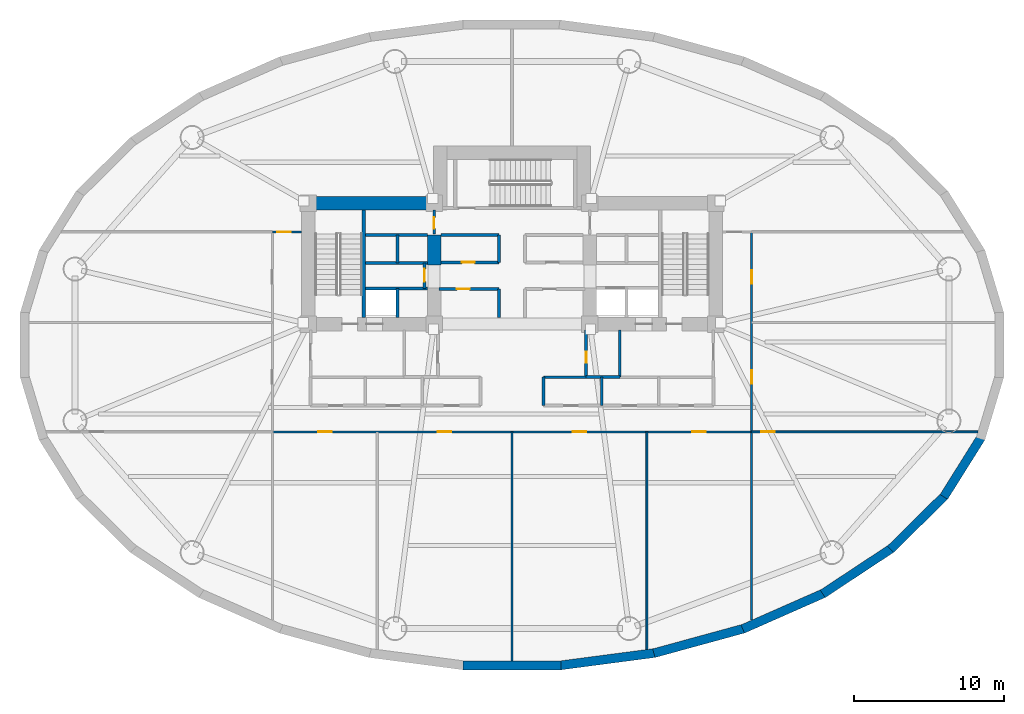
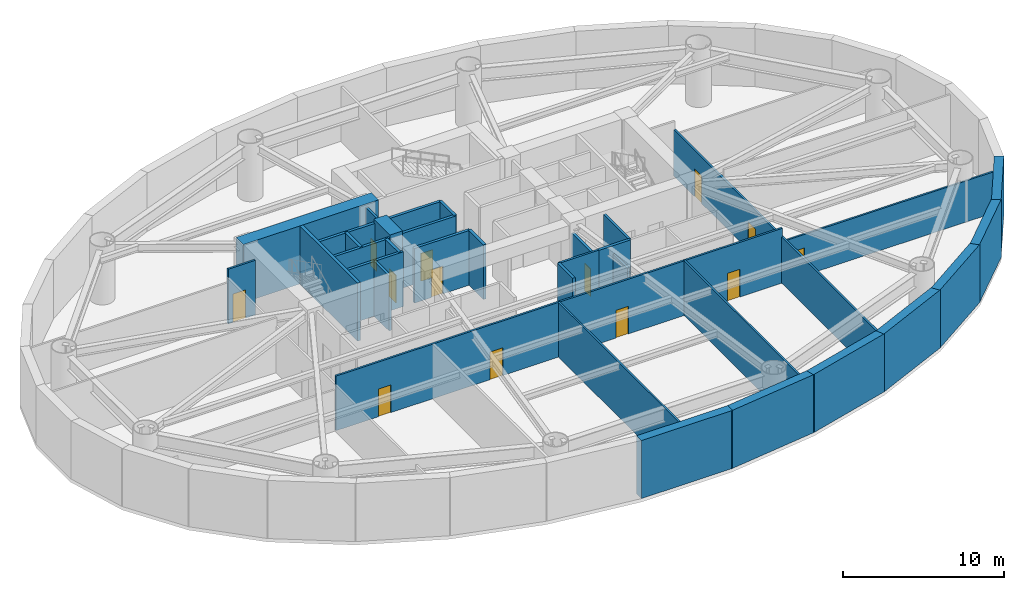
# One storey, part 3 of 6: 34 walls, 13 doors, 13 openings.
"""IFC4 building model written with IfcOpenShell, lengths in metres."""

import ifcopenshell
import ifcopenshell.guid

model = None  # the IFC model being written
_history = None  # IfcOwnerHistory: only IFC2X3 demands one
_inside = {}  # id of a spatial element -> (the spatial element, [elements in it])
_under = {}  # id of a project, library or spatial element -> (it, [spatial elements below it])
_declared = {}  # id of a project -> (the project, [libraries it declares])
_typed = {}  # id of a type object -> (the type object, [elements of that type])
_made_of = {}  # id of a material, layer set ... -> (it, [elements and type objects made of it])


def new_model(schema):
    """Start an empty IFC model of exactly this schema.

    Asked for "IFC4X3", IfcOpenShell would pick the latest addendum, in which some entities
    have other attributes; the version numbers below select the first issue.
    IFC2X3 requires an IfcOwnerHistory on every rooted entity: one is made here for all.
    """
    global model, _history
    if schema == "IFC4X3":
        model = ifcopenshell.file(schema_version=(4, 3, 0, 0))
    else:
        model = ifcopenshell.file(schema=schema)
    _inside.clear()
    _under.clear()
    _declared.clear()
    _typed.clear()
    _made_of.clear()
    _history = None
    if model.schema == "IFC2X3":
        org = make("IfcOrganization", Name="unknown")
        user = make(
            "IfcPersonAndOrganization",
            ThePerson=make("IfcPerson", FamilyName="unknown"),
            TheOrganization=org,
        )
        app = make(
            "IfcApplication",
            ApplicationDeveloper=org,
            Version="unknown",
            ApplicationFullName="unknown",
            ApplicationIdentifier="unknown",
        )
        _history = make(
            "IfcOwnerHistory",
            OwningUser=user,
            OwningApplication=app,
            ChangeAction="ADDED",
            CreationDate=0,
        )
    return model


def make(cls, **values):
    """One entity of the class cls with the attributes given. An attribute that is None is left unset."""
    return model.create_entity(
        cls, **{name: value for name, value in values.items() if value is not None}
    )


def rooted(cls, **values):
    """An entity with a GlobalId (a new one), such as an element, a storey or a relation."""
    return make(cls, GlobalId=ifcopenshell.guid.new(), OwnerHistory=_history, **values)


def si_unit(unit_type, name, prefix=None):
    """IfcSIUnit, for example si_unit("LENGTHUNIT", "METRE", prefix="MILLI")."""
    return make("IfcSIUnit", UnitType=unit_type, Prefix=prefix, Name=name)


def assignment(units):
    """IfcUnitAssignment: the units of a project."""
    return None if units is None else make("IfcUnitAssignment", Units=units)


def point(xyz):
    """IfcCartesianPoint."""
    return None if xyz is None else make("IfcCartesianPoint", Coordinates=xyz)


def direction(xyz):
    """IfcDirection."""
    return None if xyz is None else make("IfcDirection", DirectionRatios=xyz)


def frame(location, z_axis=None, x_axis=None):
    """IfcAxis2Placement3D, a coordinate frame: its origin and axes. An axis left out is left unset."""
    return make(
        "IfcAxis2Placement3D",
        Location=point(location),
        Axis=direction(z_axis),
        RefDirection=direction(x_axis),
    )


def frame_2d(location, x_axis=None):
    """IfcAxis2Placement2D, a coordinate frame in the plane: its origin and x axis."""
    return make(
        "IfcAxis2Placement2D", Location=point(location), RefDirection=direction(x_axis)
    )


def origin():
    """The frame at (0, 0, 0) with its axes left unset."""
    return frame((0.0, 0.0, 0.0))


def place(relative_to, where):
    """IfcLocalPlacement: puts the frame where relative to a parent placement (None: the world)."""
    return make(
        "IfcLocalPlacement", PlacementRelTo=relative_to, RelativePlacement=where
    )


def context(
    kind, dimensions, precision=None, world=None, true_north=None, identifier=None
):
    """IfcGeometricRepresentationContext, for example the 3D "Model" context."""
    return make(
        "IfcGeometricRepresentationContext",
        ContextIdentifier=identifier,
        ContextType=kind,
        CoordinateSpaceDimension=dimensions,
        Precision=precision,
        WorldCoordinateSystem=world,
        TrueNorth=true_north,
    )


def subcontext(parent, identifier, kind, view, scale=None):
    """IfcGeometricRepresentationSubContext, for example "Body" below "Model"."""
    return make(
        "IfcGeometricRepresentationSubContext",
        ContextIdentifier=identifier,
        ContextType=kind,
        ParentContext=parent,
        TargetScale=scale,
        TargetView=view,
    )


def project(units=None, contexts=None):
    """IfcProject with its units and contexts."""
    return rooted(
        "IfcProject",
        Name="project",
        RepresentationContexts=contexts,
        UnitsInContext=assignment(units),
    )


def spatial(cls, under=None, at=None, **own):
    """A site, building, storey or space (cls), placed at a placement, below another one or the project."""
    s = rooted(cls, ObjectPlacement=at, **own)
    if under is not None:
        _under.setdefault(under.id(), (under, []))[1].append(s)
    return s


def profile(cls, at=None, kind="AREA", **sizes):
    """A parametric profile (cls). Its sizes go by their IFC names, for example OverallWidth=200.0."""
    return make(cls, ProfileType=kind, Position=at, **sizes)


def rectangle(**sizes):
    """IfcRectangleProfileDef."""
    return profile("IfcRectangleProfileDef", **sizes)


def extrude(swept, where, along, depth):
    """IfcExtrudedAreaSolid: the profile swept, set in the frame where, extruded along a direction by depth."""
    return make(
        "IfcExtrudedAreaSolid",
        SweptArea=swept,
        Position=where,
        ExtrudedDirection=direction(along),
        Depth=depth,
    )


def shape(context_of_items, identifier, shape_type, items):
    """IfcShapeRepresentation: the items that make up one representation, for example the "Body"."""
    return make(
        "IfcShapeRepresentation",
        ContextOfItems=context_of_items,
        RepresentationIdentifier=identifier,
        RepresentationType=shape_type,
        Items=items,
    )


def material(Name=None, Category=None):
    """IfcMaterial."""
    return make("IfcMaterial", Name=Name, Category=Category)


def layer(
    of_material, thickness, ventilated=None, Name=None, Category=None, Priority=None
):
    """IfcMaterialLayer: one layer of a wall or slab, of a material (None: an air gap)."""
    return make(
        "IfcMaterialLayer",
        Material=of_material,
        LayerThickness=thickness,
        IsVentilated=ventilated,
        Name=Name,
        Category=Category,
        Priority=Priority,
    )


def layer_set(layers, Name=None):
    """IfcMaterialLayerSet."""
    return make("IfcMaterialLayerSet", MaterialLayers=layers, LayerSetName=Name)


def made_of(thing, what):
    """Note that an element or type object is made of a material, layer set ...; save() writes the relation."""
    if what is not None:
        _made_of.setdefault(what.id(), (what, []))[1].append(thing)
    return thing


def type_object(cls, material=None, **own):
    """A type object (cls), such as IfcWallType, which elements share."""
    return made_of(rooted(cls, **own), material)


def element(
    cls,
    number,
    at=None,
    inside=None,
    cuts=None,
    type_object=None,
    material=None,
    context=None,
    identifier="Body",
    shape_type=None,
    held_by="IfcProductDefinitionShape",
    body=None,
    shapes=None,
    **own,
):
    """One element of the class cls, such as IfcWall. Its Tag is "e" and its number.

    at: its placement. inside: the storey or other place that contains it. cuts: it is an
    opening in that element (IfcRelVoidsElement). A single representation is given by context,
    identifier, shape_type and body (its items); several are given by shapes. held_by: the class
    of the entity that holds the representations. save() writes the other relations.
    """
    e = rooted(cls, Tag="e%d" % number, ObjectPlacement=at, **own)
    if body is not None:
        shapes = [shape(context, identifier, shape_type, body)]
    if shapes is not None:
        e.Representation = make(held_by, Representations=shapes)
    if inside is not None:
        _inside.setdefault(inside.id(), (inside, []))[1].append(e)
    if cuts is not None:
        rooted(
            "IfcRelVoidsElement", RelatingBuildingElement=cuts, RelatedOpeningElement=e
        )
    if type_object is not None:
        _typed.setdefault(type_object.id(), (type_object, []))[1].append(e)
    return made_of(e, material)


def fill(opening, filler):
    """IfcRelFillsElement: the door or window that sits in an opening."""
    return rooted(
        "IfcRelFillsElement",
        RelatingOpeningElement=opening,
        RelatedBuildingElement=filler,
    )


def aggregate(whole, parts):
    """IfcRelAggregates: a whole, such as a stair, and the parts it consists of."""
    return rooted("IfcRelAggregates", RelatingObject=whole, RelatedObjects=parts)


def save(model, path):
    """Write the relations noted so far, then the file.

    IfcRelAggregates (storeys below a building ...), IfcRelContainedInSpatialStructure (elements
    in a storey), IfcRelDefinesByType, IfcRelAssociatesMaterial and IfcRelDeclares: one each for
    every whole, place, type object, material and project.
    """
    for whole, parts in _under.values():
        aggregate(whole, parts)
    for where, things in _inside.values():
        rooted(
            "IfcRelContainedInSpatialStructure",
            RelatedElements=things,
            RelatingStructure=where,
        )
    for kind, things in _typed.values():
        rooted("IfcRelDefinesByType", RelatedObjects=things, RelatingType=kind)
    for what, things in _made_of.values():
        rooted("IfcRelAssociatesMaterial", RelatedObjects=things, RelatingMaterial=what)
    for by, libraries in _declared.values():
        rooted("IfcRelDeclares", RelatingContext=by, RelatedDefinitions=libraries)
    model.write(path)


model = new_model("IFC4")

# Units and contexts
model_context = context("Model", 3, precision=1e-05, world=origin(), true_north=direction((0.0, 1.0)))
body_context = subcontext(model_context, "Body", "Model", "MODEL_VIEW")
ifc_project = project(units=[si_unit("LENGTHUNIT", "METRE"), si_unit("AREAUNIT", "SQUARE_METRE"), si_unit("VOLUMEUNIT", "CUBIC_METRE"), si_unit("PLANEANGLEUNIT", "RADIAN"), si_unit("MASSUNIT", "GRAM", prefix="KILO")], contexts=[model_context])

# Site, building, storey
site_placement = place(None, origin())
site = spatial("IfcSite", under=ifc_project, at=site_placement, CompositionType="ELEMENT")
building_placement = place(site_placement, origin())
building = spatial("IfcBuilding", under=site, at=building_placement, Name="Keldmark Tower", CompositionType="ELEMENT")
storey_placement = place(building_placement, frame((0.0, 0.0, -4.39990234375)))
storey = spatial("IfcBuildingStorey", under=building, at=storey_placement, Name="B01", CompositionType="ELEMENT", Elevation=-4.39990234375)

# Wall, openings, doors
ifc_material_1 = material(Name="Acoustic Double-Layer Gypsum Corridor Partition", Category="gypsum")
ifc_layer_1 = layer(ifc_material_1, 0.139892578125)
ifc_layer_set_1 = layer_set([ifc_layer_1], Name="Acoustic Double-Layer Gypsum Corridor Partition")
wall_type_1 = type_object("IfcWallType", Name="Acoustic Corridor Partition 140 mm", PredefinedType="PARTITIONING", material=ifc_layer_set_1)
wall_1_placement = place(storey_placement, frame((-16.0, -5.800048828125, 0.0), z_axis=(0.0, 0.0, 1.0), x_axis=(1.0, 0.0, 0.0)))
wall_1 = element("IfcWall", 1, at=wall_1_placement, inside=storey, type_object=wall_type_1, Name="B01 Acoustic Corridor Partition 140 mm COR-S", PredefinedType="PARTITIONING", context=body_context, shape_type="SweptSolid", body=[
    extrude(rectangle(XDim=32.0, YDim=0.139892578125, at=frame_2d((16.0, 0.0))), origin(), (0.0, 0.0, 1.0), 4.139892578125),
])
opening_1_placement = place(wall_1_placement, frame((3.050048828125, 0.0, 0.0)))
opening_1 = element("IfcOpeningElement", 2, at=opening_1_placement, cuts=wall_1, Name="Opening D-IN090", PredefinedType="OPENING", context=body_context, shape_type="SweptSolid", body=[
    extrude(rectangle(XDim=0.89990234375, YDim=2.10009765625, at=frame_2d((0.449951171875, 1.050048828125))), frame((0.0, 0.079833984375, 0.0), z_axis=(0.0, -1.0, 0.0), x_axis=(1.0, 0.0, 0.0)), (0.0, 0.0, 1.0), 0.159912109375),
])
opening_2_placement = place(wall_1_placement, frame((11.050048828125, 0.0, 0.0)))
opening_2 = element("IfcOpeningElement", 3, at=opening_2_placement, cuts=wall_1, Name="Opening D-IN090", PredefinedType="OPENING", context=body_context, shape_type="SweptSolid", body=[
    extrude(rectangle(XDim=0.89990234375, YDim=2.10009765625, at=frame_2d((0.449951171875, 1.050048828125))), frame((0.0, 0.079833984375, 0.0), z_axis=(0.0, -1.0, 0.0), x_axis=(1.0, 0.0, 0.0)), (0.0, 0.0, 1.0), 0.159912109375),
])
opening_3_placement = place(wall_1_placement, frame((20.050048828125, 0.0, 0.0)))
opening_3 = element("IfcOpeningElement", 4, at=opening_3_placement, cuts=wall_1, Name="Opening D-IN090", PredefinedType="OPENING", context=body_context, shape_type="SweptSolid", body=[
    extrude(rectangle(XDim=0.89990234375, YDim=2.10009765625, at=frame_2d((0.449951171875, 1.050048828125))), frame((0.0, 0.079833984375, 0.0), z_axis=(0.0, -1.0, 0.0), x_axis=(1.0, 0.0, 0.0)), (0.0, 0.0, 1.0), 0.159912109375),
])
opening_4_placement = place(wall_1_placement, frame((28.050048828125, 0.0, 0.0)))
opening_4 = element("IfcOpeningElement", 5, at=opening_4_placement, cuts=wall_1, Name="Opening D-IN090", PredefinedType="OPENING", context=body_context, shape_type="SweptSolid", body=[
    extrude(rectangle(XDim=0.89990234375, YDim=2.10009765625, at=frame_2d((0.449951171875, 1.050048828125))), frame((0.0, 0.079833984375, 0.0), z_axis=(0.0, -1.0, 0.0), x_axis=(1.0, 0.0, 0.0)), (0.0, 0.0, 1.0), 0.159912109375),
])
ifc_material_2 = material(Name="Stained American White Oak Veneer", Category="wood")
door_type_1 = type_object("IfcDoorType", Name="Interior Door 900x2100", OperationType="NOTDEFINED", PredefinedType="DOOR", material=ifc_material_2)
door_1_placement = place(opening_1_placement, origin())
door_1 = element("IfcDoor", 6, at=door_1_placement, inside=storey, type_object=door_type_1, Name="B01 Interior Door 900x2100 D-SR-1-B01", OperationType="SINGLE_SWING_LEFT", OverallHeight=2.10009765625, OverallWidth=0.89990234375, PredefinedType="DOOR", context=body_context, shape_type="SweptSolid", body=[
    extrude(rectangle(XDim=0.89990234375, YDim=2.10009765625, at=frame_2d((0.449951171875, 1.050048828125))), frame((0.0, 0.02490234375, 0.0), z_axis=(0.0, -1.0, 0.0), x_axis=(1.0, 0.0, 0.0)), (0.0, 0.0, 1.0), 0.050048828125),
])
fill(opening_1, door_1)
door_2_placement = place(opening_2_placement, origin())
door_2 = element("IfcDoor", 7, at=door_2_placement, inside=storey, type_object=door_type_1, Name="B01 Interior Door 900x2100 D-SR-2-B01", OperationType="SINGLE_SWING_RIGHT", OverallHeight=2.10009765625, OverallWidth=0.89990234375, PredefinedType="DOOR", context=body_context, shape_type="SweptSolid", body=[
    extrude(rectangle(XDim=0.89990234375, YDim=2.10009765625, at=frame_2d((0.449951171875, 1.050048828125))), frame((0.0, 0.02490234375, 0.0), z_axis=(0.0, -1.0, 0.0), x_axis=(1.0, 0.0, 0.0)), (0.0, 0.0, 1.0), 0.050048828125),
])
fill(opening_2, door_2)
door_3_placement = place(opening_3_placement, origin())
door_3 = element("IfcDoor", 8, at=door_3_placement, inside=storey, type_object=door_type_1, Name="B01 Interior Door 900x2100 D-SR-3-B01", OperationType="SINGLE_SWING_LEFT", OverallHeight=2.10009765625, OverallWidth=0.89990234375, PredefinedType="DOOR", context=body_context, shape_type="SweptSolid", body=[
    extrude(rectangle(XDim=0.89990234375, YDim=2.10009765625, at=frame_2d((0.449951171875, 1.050048828125))), frame((0.0, 0.02490234375, 0.0), z_axis=(0.0, -1.0, 0.0), x_axis=(1.0, 0.0, 0.0)), (0.0, 0.0, 1.0), 0.050048828125),
])
fill(opening_3, door_3)
door_4_placement = place(opening_4_placement, origin())
door_4 = element("IfcDoor", 9, at=door_4_placement, inside=storey, type_object=door_type_1, Name="B01 Interior Door 900x2100 D-SR-4-B01", OperationType="SINGLE_SWING_RIGHT", OverallHeight=2.10009765625, OverallWidth=0.89990234375, PredefinedType="DOOR", context=body_context, shape_type="SweptSolid", body=[
    extrude(rectangle(XDim=0.89990234375, YDim=2.10009765625, at=frame_2d((0.449951171875, 1.050048828125))), frame((0.0, 0.02490234375, 0.0), z_axis=(0.0, -1.0, 0.0), x_axis=(1.0, 0.0, 0.0)), (0.0, 0.0, 1.0), 0.050048828125),
])
fill(opening_4, door_4)

wall_2_placement = place(storey_placement, frame((16.0, -18.365478515625, 0.0), z_axis=(0.0, 0.0, 1.0), x_axis=(0.0, 1.0, 0.0)))
wall_2 = element("IfcWall", 10, at=wall_2_placement, inside=storey, type_object=wall_type_1, Name="B01 Acoustic Corridor Partition 140 mm COR-E", PredefinedType="PARTITIONING", context=body_context, shape_type="SweptSolid", body=[
    extrude(rectangle(XDim=25.91552734375, YDim=0.139892578125, at=frame_2d((12.957763671875, 0.0))), origin(), (0.0, 0.0, 1.0), 3.5078125),
])
opening_5_placement = place(wall_2_placement, frame((15.765869140625, 0.0, 0.0)))
opening_5 = element("IfcOpeningElement", 11, at=opening_5_placement, cuts=wall_2, Name="Opening D-IN090", PredefinedType="OPENING", context=body_context, shape_type="SweptSolid", body=[
    extrude(rectangle(XDim=0.89990234375, YDim=2.10009765625, at=frame_2d((0.449951171875, 1.050048828125))), frame((0.0, 0.079833984375, 0.0), z_axis=(0.0, -1.0, 0.0), x_axis=(1.0, 0.0, 0.0)), (0.0, 0.0, 1.0), 0.159912109375),
])
opening_6_placement = place(wall_2_placement, frame((22.44091796875, 0.0, 0.0)))
opening_6 = element("IfcOpeningElement", 12, at=opening_6_placement, cuts=wall_2, Name="Opening D-IN090", PredefinedType="OPENING", context=body_context, shape_type="SweptSolid", body=[
    extrude(rectangle(XDim=0.89990234375, YDim=2.10009765625, at=frame_2d((0.449951171875, 1.050048828125))), frame((0.0, 0.079833984375, 0.0), z_axis=(0.0, -1.0, 0.0), x_axis=(1.0, 0.0, 0.0)), (0.0, 0.0, 1.0), 0.159912109375),
])
door_5_placement = place(opening_5_placement, origin())
door_5 = element("IfcDoor", 13, at=door_5_placement, inside=storey, type_object=door_type_1, Name="B01 Interior Door 900x2100 D-ER-1-B01", OperationType="SINGLE_SWING_RIGHT", OverallHeight=2.10009765625, OverallWidth=0.89990234375, PredefinedType="DOOR", context=body_context, shape_type="SweptSolid", body=[
    extrude(rectangle(XDim=0.89990234375, YDim=2.10009765625, at=frame_2d((0.449951171875, 1.050048828125))), frame((0.0, 0.02490234375, 0.0), z_axis=(0.0, -1.0, 0.0), x_axis=(1.0, 0.0, 0.0)), (0.0, 0.0, 1.0), 0.050048828125),
])
fill(opening_5, door_5)
door_6_placement = place(opening_6_placement, origin())
door_6 = element("IfcDoor", 14, at=door_6_placement, inside=storey, type_object=door_type_1, Name="B01 Interior Door 900x2100 D-ER-2-B01", OperationType="SINGLE_SWING_LEFT", OverallHeight=2.10009765625, OverallWidth=0.89990234375, PredefinedType="DOOR", context=body_context, shape_type="SweptSolid", body=[
    extrude(rectangle(XDim=0.89990234375, YDim=2.10009765625, at=frame_2d((0.449951171875, 1.050048828125))), frame((0.0, 0.02490234375, 0.0), z_axis=(0.0, -1.0, 0.0), x_axis=(1.0, 0.0, 0.0)), (0.0, 0.0, 1.0), 0.050048828125),
])
fill(opening_6, door_6)

# Wall, opening, door
wall_3_placement = place(storey_placement, frame((-16.0, 7.550048828125, 0.0), z_axis=(0.0, 0.0, 1.0), x_axis=(1.0, 0.0, 0.0)))
wall_3 = element("IfcWall", 15, at=wall_3_placement, inside=storey, type_object=wall_type_1, Name="B01 Acoustic Corridor Partition 140 mm COR-WN-CAP", PredefinedType="PARTITIONING", context=body_context, shape_type="SweptSolid", body=[
    extrude(rectangle(XDim=1.949951171875, YDim=0.139892578125, at=frame_2d((0.97509765625, 0.0))), origin(), (0.0, 0.0, 1.0), 4.139892578125),
])
opening_7_placement = place(wall_3_placement, frame((0.320068359375, 0.0, 0.0)))
opening_7 = element("IfcOpeningElement", 16, at=opening_7_placement, cuts=wall_3, Name="Opening D-EX092", PredefinedType="OPENING", context=body_context, shape_type="SweptSolid", body=[
    extrude(rectangle(XDim=0.919921875, YDim=2.14990234375, at=frame_2d((0.4599609375, 1.074951171875))), frame((0.0, 0.079833984375, 0.0), z_axis=(0.0, -1.0, 0.0), x_axis=(1.0, 0.0, 0.0)), (0.0, 0.0, 1.0), 0.159912109375),
])
ifc_material_3 = material(Name="Flush American Ash Executive Office Door", Category="wood")
door_type_2 = type_object("IfcDoorType", Name="Executive Office Door 920x2150", OperationType="NOTDEFINED", PredefinedType="DOOR", material=ifc_material_3)
door_7_placement = place(opening_7_placement, origin())
door_7 = element("IfcDoor", 17, at=door_7_placement, inside=storey, type_object=door_type_2, Name="B01 Executive Office Door 920x2150 D-NRNW-B01", OperationType="SINGLE_SWING_LEFT", OverallHeight=2.14990234375, OverallWidth=0.919921875, PredefinedType="DOOR", context=body_context, shape_type="SweptSolid", body=[
    extrude(rectangle(XDim=0.919921875, YDim=2.14990234375, at=frame_2d((0.4599609375, 1.074951171875))), frame((0.0, 0.02490234375, 0.0), z_axis=(0.0, -1.0, 0.0), x_axis=(1.0, 0.0, 0.0)), (0.0, 0.0, 1.0), 0.050048828125),
])
fill(opening_7, door_7)

# Walls
ifc_material_4 = material(Name="Concrete C50/60", Category="concrete")
ifc_layer_2 = layer(ifc_material_4, 0.60009765625)
ifc_layer_set_2 = layer_set([ifc_layer_2], Name="Concrete C50/60")
wall_type_2 = type_object("IfcWallType", Name="Basement Retaining Wall 600 mm", PredefinedType="USERDEFINED", material=ifc_layer_set_2)
wall_4_placement = place(storey_placement, frame((-3.2646484375, -21.39501953125, 0.0), z_axis=(0.0, 0.0, 1.0), x_axis=(1.0, 0.0, 0.0)))
element("IfcWall", 18, at=wall_4_placement, inside=storey, type_object=wall_type_2, Name="B01 Perimeter Retaining Wall 24", ObjectType="RETAINING WALL", PredefinedType="USERDEFINED", context=body_context, shape_type="SweptSolid", body=[
    extrude(rectangle(XDim=6.529296875, YDim=0.60009765625, at=frame_2d((3.2646484375, 0.0))), origin(), (0.0, 0.0, 1.0), 4.39990234375),
])
wall_5_placement = place(storey_placement, frame((3.165771484375, -21.401611328125, 0.0), z_axis=(0.0, 0.0, 1.0), x_axis=(0.991471782517, 0.130321542624, 0.0)))
element("IfcWall", 19, at=wall_5_placement, inside=storey, type_object=wall_type_2, Name="B01 Perimeter Retaining Wall 25", ObjectType="RETAINING WALL", PredefinedType="USERDEFINED", context=body_context, shape_type="SweptSolid", body=[
    extrude(rectangle(XDim=6.45947265625, YDim=0.60009765625, at=frame_2d((3.229736328125, 0.0))), origin(), (0.0, 0.0, 1.0), 4.39990234375),
])
wall_6_placement = place(storey_placement, frame((9.47119140625, -20.579833984375, 0.0), z_axis=(0.0, 0.0, 1.0), x_axis=(0.964548276597, 0.263906464707, 0.0)))
element("IfcWall", 20, at=wall_6_placement, inside=storey, type_object=wall_type_2, Name="B01 Perimeter Retaining Wall 26", ObjectType="RETAINING WALL", PredefinedType="USERDEFINED", context=body_context, shape_type="SweptSolid", body=[
    extrude(rectangle(XDim=6.256591796875, YDim=0.60009765625, at=frame_2d((3.12841796875, 0.0))), origin(), (0.0, 0.0, 1.0), 4.39990234375),
])
wall_7_placement = place(storey_placement, frame((15.407470703125, -18.963623046875, 0.0), z_axis=(0.0, 0.0, 1.0), x_axis=(0.91483072277, 0.403837527574, 0.0)))
element("IfcWall", 21, at=wall_7_placement, inside=storey, type_object=wall_type_2, Name="B01 Perimeter Retaining Wall 27", ObjectType="RETAINING WALL", PredefinedType="USERDEFINED", context=body_context, shape_type="SweptSolid", body=[
    extrude(rectangle(XDim=5.939697265625, YDim=0.60009765625, at=frame_2d((2.9697265625, 0.0))), origin(), (0.0, 0.0, 1.0), 4.39990234375),
])
wall_8_placement = place(storey_placement, frame((20.74462890625, -16.617919921875, 0.0), z_axis=(0.0, 0.0, 1.0), x_axis=(0.834367518908, 0.551208529861, 0.0)))
element("IfcWall", 22, at=wall_8_placement, inside=storey, type_object=wall_type_2, Name="B01 Perimeter Retaining Wall 28", ObjectType="RETAINING WALL", PredefinedType="USERDEFINED", context=body_context, shape_type="SweptSolid", body=[
    extrude(rectangle(XDim=5.542236328125, YDim=0.60009765625, at=frame_2d((2.77099609375, 0.0))), origin(), (0.0, 0.0, 1.0), 4.39990234375),
])
wall_9_placement = place(storey_placement, frame((25.277099609375, -13.6376953125, 0.0), z_axis=(0.0, 0.0, 1.0), x_axis=(0.711105403666, 0.70308541791, 0.0)))
element("IfcWall", 23, at=wall_9_placement, inside=storey, type_object=wall_type_2, Name="B01 Perimeter Retaining Wall 29", ObjectType="RETAINING WALL", PredefinedType="USERDEFINED", context=body_context, shape_type="SweptSolid", body=[
    extrude(rectangle(XDim=5.1142578125, YDim=0.60009765625, at=frame_2d((2.55712890625, 0.0))), origin(), (0.0, 0.0, 1.0), 4.39990234375),
])
wall_10_placement = place(storey_placement, frame((28.833251953125, -10.142333984375, 0.0), z_axis=(0.0, 0.0, 1.0), x_axis=(0.531244363113, 0.847218641592, 0.0)))
element("IfcWall", 24, at=wall_10_placement, inside=storey, type_object=wall_type_2, Name="B01 Perimeter Retaining Wall 30", ObjectType="RETAINING WALL", PredefinedType="USERDEFINED", context=body_context, shape_type="SweptSolid", body=[
    extrude(rectangle(XDim=4.72021484375, YDim=0.60009765625, at=frame_2d((2.360107421875, 0.0))), origin(), (0.0, 0.0, 1.0), 4.39990234375),
])
ifc_material_5 = material(Name="Heavy Acoustic Plumbing Chase Gypsum Assembly", Category="gypsum")
ifc_layer_3 = layer(ifc_material_5, 0.18994140625)
ifc_layer_set_3 = layer_set([ifc_layer_3], Name="Heavy Acoustic Plumbing Chase Gypsum Assembly")
wall_type_3 = type_object("IfcWallType", Name="Heavy Wet Wall 190 mm", PredefinedType="PLUMBINGWALL", material=ifc_layer_set_3)
wall_11_placement = place(storey_placement, frame((2.10009765625, -4.050048828125, 0.0), z_axis=(0.0, 0.0, 1.0), x_axis=(0.0, 1.0, 0.0)))
element("IfcWall", 25, at=wall_11_placement, inside=storey, type_object=wall_type_3, Name="B01 Heavy Wet Wall 190 mm SPK-E-W", PredefinedType="PLUMBINGWALL", context=body_context, shape_type="SweptSolid", body=[
    extrude(rectangle(XDim=1.900146484375, YDim=0.18994140625, at=frame_2d((0.9501953125, 0.0))), origin(), (0.0, 0.0, 1.0), 4.139892578125),
])
ifc_material_6 = material(Name="Acoustic Gypsum Board Interior Partition", Category="gypsum")
ifc_layer_4 = layer(ifc_material_6, 0.1298828125)
ifc_layer_set_4 = layer_set([ifc_layer_4], Name="Acoustic Gypsum Board Interior Partition")
wall_type_4 = type_object("IfcWallType", Name="Interior Partition 130 mm", PredefinedType="PARTITIONING", material=ifc_layer_set_4)
wall_12_placement = place(storey_placement, frame((0.0, -21.0869140625, 0.0), z_axis=(0.0, 0.0, 1.0), x_axis=(0.0, 1.0, 0.0)))
element("IfcWall", 26, at=wall_12_placement, inside=storey, type_object=wall_type_4, Name="B01 Interior Partition 130 mm S-DIV-2", PredefinedType="PARTITIONING", context=body_context, shape_type="SweptSolid", body=[
    extrude(rectangle(XDim=15.286865234375, YDim=0.1298828125, at=frame_2d((7.6435546875, 0.0))), origin(), (0.0, 0.0, 1.0), 4.139892578125),
])
wall_13_placement = place(storey_placement, frame((9.0, -20.32421875, 0.0), z_axis=(0.0, 0.0, 1.0), x_axis=(0.0, 1.0, 0.0)))
element("IfcWall", 27, at=wall_13_placement, inside=storey, type_object=wall_type_4, Name="B01 Interior Partition 130 mm S-DIV-3", PredefinedType="PARTITIONING", context=body_context, shape_type="SweptSolid", body=[
    extrude(rectangle(XDim=14.524169921875, YDim=0.1298828125, at=frame_2d((7.26220703125, 0.0))), origin(), (0.0, 0.0, 1.0), 4.139892578125),
])

# Wall, opening, door
wall_14_placement = place(storey_placement, frame((16.0, -5.800048828125, 0.0), z_axis=(0.0, 0.0, 1.0), x_axis=(1.0, 0.0, 0.0)))
wall_14 = element("IfcWall", 28, at=wall_14_placement, inside=storey, type_object=wall_type_4, Name="B01 Interior Partition 130 mm E-CAP-S", PredefinedType="PARTITIONING", context=body_context, shape_type="SweptSolid", body=[
    extrude(rectangle(XDim=15.10302734375, YDim=0.1298828125, at=frame_2d((7.551513671875, 0.0))), origin(), (0.0, 0.0, 1.0), 3.117919921875),
])
opening_8_placement = place(wall_14_placement, frame((0.64990234375, 0.0, 0.0)))
opening_8 = element("IfcOpeningElement", 29, at=opening_8_placement, cuts=wall_14, Name="Opening D-IN090", PredefinedType="OPENING", context=body_context, shape_type="SweptSolid", body=[
    extrude(rectangle(XDim=0.89990234375, YDim=2.10009765625, at=frame_2d((0.449951171875, 1.050048828125))), frame((0.0, 0.074951171875, 0.0), z_axis=(0.0, -1.0, 0.0), x_axis=(1.0, 0.0, 0.0)), (0.0, 0.0, 1.0), 0.14990234375),
])
door_8_placement = place(opening_8_placement, origin())
door_8 = element("IfcDoor", 30, at=door_8_placement, inside=storey, type_object=door_type_1, Name="B01 Interior Door 900x2100 D-ERSE-B01", OperationType="SINGLE_SWING_RIGHT", OverallHeight=2.10009765625, OverallWidth=0.89990234375, PredefinedType="DOOR", context=body_context, shape_type="SweptSolid", body=[
    extrude(rectangle(XDim=0.89990234375, YDim=2.10009765625, at=frame_2d((0.449951171875, 1.050048828125))), frame((0.0, 0.02490234375, 0.0), z_axis=(0.0, -1.0, 0.0), x_axis=(1.0, 0.0, 0.0)), (0.0, 0.0, 1.0), 0.050048828125),
])
fill(opening_8, door_8)

# Walls
ifc_material_7 = material(Name="Concrete C70/85", Category="concrete")
ifc_layer_5 = layer(ifc_material_7, 0.89990234375)
ifc_layer_set_5 = layer_set([ifc_layer_5], Name="Concrete C70/85")
wall_type_5 = type_object("IfcWallType", Name="Lower Core Shear Wall 900 mm", PredefinedType="SHEAR", material=ifc_layer_set_5)
wall_15_placement = place(storey_placement, frame((-14.050048828125, 9.449951171875, 0.0), z_axis=(0.0, 0.0, 1.0), x_axis=(1.0, 0.0, 0.0)))
element("IfcWall", 31, at=wall_15_placement, inside=storey, type_object=wall_type_5, Name="B01 West Core North Shear Wall", PredefinedType="SHEAR", context=body_context, shape_type="SweptSolid", body=[
    extrude(rectangle(XDim=9.699951171875, YDim=0.89990234375, at=frame_2d((4.85009765625, 0.0))), origin(), (0.0, 0.0, 1.0), 4.39990234375),
])
wall_16_placement = place(storey_placement, frame((-5.199951171875, 5.35009765625, 0.0), z_axis=(0.0, 0.0, 1.0), x_axis=(0.0, 1.0, 0.0)))
element("IfcWall", 32, at=wall_16_placement, inside=storey, type_object=wall_type_5, Name="B01 West Core Inner Shear Pier North", PredefinedType="SHEAR", context=body_context, shape_type="SweptSolid", body=[
    extrude(rectangle(XDim=2.0, YDim=0.89990234375, at=frame_2d((1.0, 0.0))), origin(), (0.0, 0.0, 1.0), 4.39990234375),
])
ifc_material_8 = material(Name="Type X Fire-Rated Gypsum Partition Assembly", Category="gypsum")
ifc_layer_6 = layer(ifc_material_8, 0.1650390625)
ifc_layer_set_6 = layer_set([ifc_layer_6], Name="Type X Fire-Rated Gypsum Partition Assembly")
wall_type_6 = type_object("IfcWallType", Name="Rated Partition 165 mm", PredefinedType="PARTITIONING", material=ifc_layer_set_6)
wall_17_placement = place(storey_placement, frame((7.199951171875, -2.14990234375, 0.0), z_axis=(0.0, 0.0, 1.0), x_axis=(0.0, 1.0, 0.0)))
element("IfcWall", 33, at=wall_17_placement, inside=storey, type_object=wall_type_6, Name="B01 Rated Partition 165 mm FSAE-E-W", PredefinedType="PARTITIONING", context=body_context, shape_type="SweptSolid", body=[
    extrude(rectangle(XDim=3.14990234375, YDim=0.1650390625, at=frame_2d((1.574951171875, 0.0))), origin(), (0.0, 0.0, 1.0), 4.139892578125),
])

# Wall, opening, door
wall_18_placement = place(storey_placement, frame((-5.199951171875, 7.419921875, 0.0), z_axis=(0.0, 0.0, 1.0), x_axis=(0.0, 1.0, 0.0)))
wall_18 = element("IfcWall", 34, at=wall_18_placement, inside=storey, type_object=wall_type_6, Name="B01 Rated Partition 165 mm CS-NW-E", PredefinedType="PARTITIONING", context=body_context, shape_type="SweptSolid", body=[
    extrude(rectangle(XDim=1.580078125, YDim=0.1650390625, at=frame_2d((0.7900390625, 0.0))), origin(), (0.0, 0.0, 1.0), 4.139892578125),
])
opening_9_placement = place(wall_18_placement, frame((0.35009765625, 0.0, 0.0)))
opening_9 = element("IfcOpeningElement", 35, at=opening_9_placement, cuts=wall_18, Name="Opening D-RS075", PredefinedType="OPENING", context=body_context, shape_type="SweptSolid", body=[
    extrude(rectangle(XDim=0.75, YDim=2.10009765625, at=frame_2d((0.375, 1.050048828125))), frame((0.0, 0.092529296875, 0.0), z_axis=(0.0, -1.0, 0.0), x_axis=(1.0, 0.0, 0.0)), (0.0, 0.0, 1.0), 0.18505859375),
])
ifc_material_9 = material(Name="Galvanized Fire-Rated Access Leaf", Category="metal")
door_type_3 = type_object("IfcDoorType", Name="Riser Access Door 750x2100", OperationType="NOTDEFINED", PredefinedType="DOOR", material=ifc_material_9)
door_9_placement = place(opening_9_placement, origin())
door_9 = element("IfcDoor", 36, at=door_9_placement, inside=storey, type_object=door_type_3, Name="B01 Riser Access Door 750x2100 D-CSNW1-B01", OperationType="SINGLE_SWING_LEFT", OverallHeight=2.10009765625, OverallWidth=0.75, PredefinedType="DOOR", context=body_context, shape_type="SweptSolid", body=[
    extrude(rectangle(XDim=0.75, YDim=2.10009765625, at=frame_2d((0.375, 1.050048828125))), frame((0.0, 0.02490234375, 0.0), z_axis=(0.0, -1.0, 0.0), x_axis=(1.0, 0.0, 0.0)), (0.0, 0.0, 1.0), 0.050048828125),
])
fill(opening_9, door_9)

# Wall
ifc_material_10 = material(Name="Fire-Resistant Type X Gypsum Shaftliner Coreboard", Category="gypsum")
ifc_layer_7 = layer(ifc_material_10, 0.199951171875)
ifc_layer_set_7 = layer_set([ifc_layer_7], Name="Fire-Resistant Type X Gypsum Shaftliner Coreboard")
wall_type_7 = type_object("IfcWallType", Name="Shaft Wall 200 mm", PredefinedType="SOLIDWALL", material=ifc_layer_set_7)
wall_19_placement = place(storey_placement, frame((4.949951171875, -2.14990234375, 0.0), z_axis=(0.0, 0.0, 1.0), x_axis=(1.0, 0.0, 0.0)))
element("IfcWall", 37, at=wall_19_placement, inside=storey, type_object=wall_type_7, Name="B01 Shaft Wall 200 mm RIS-SE-S", PredefinedType="SOLIDWALL", context=body_context, shape_type="SweptSolid", body=[
    extrude(rectangle(XDim=2.25, YDim=0.199951171875, at=frame_2d((1.125, 0.0))), origin(), (0.0, 0.0, 1.0), 4.139892578125),
])

# Wall, opening, door
wall_20_placement = place(storey_placement, frame((4.949951171875, -2.14990234375, 0.0), z_axis=(0.0, 0.0, 1.0), x_axis=(0.0, 1.0, 0.0)))
wall_20 = element("IfcWall", 38, at=wall_20_placement, inside=storey, type_object=wall_type_7, Name="B01 Shaft Wall 200 mm RIS-SE-W", PredefinedType="SOLIDWALL", context=body_context, shape_type="SweptSolid", body=[
    extrude(rectangle(XDim=3.14990234375, YDim=0.199951171875, at=frame_2d((1.574951171875, 0.0))), origin(), (0.0, 0.0, 1.0), 3.5078125),
])
opening_10_placement = place(wall_20_placement, frame((0.949951171875, 0.0, 0.0)))
opening_10 = element("IfcOpeningElement", 39, at=opening_10_placement, cuts=wall_20, Name="Opening D-RS075", PredefinedType="OPENING", context=body_context, shape_type="SweptSolid", body=[
    extrude(rectangle(XDim=0.75, YDim=2.10009765625, at=frame_2d((0.375, 1.050048828125))), frame((0.0, 0.10986328125, 0.0), z_axis=(0.0, -1.0, 0.0), x_axis=(1.0, 0.0, 0.0)), (0.0, 0.0, 1.0), 0.219970703125),
])
door_10_placement = place(opening_10_placement, origin())
door_10 = element("IfcDoor", 40, at=door_10_placement, inside=storey, type_object=door_type_3, Name="B01 Riser Access Door 750x2100 D-RISSE-B01", OperationType="SINGLE_SWING_LEFT", OverallHeight=2.10009765625, OverallWidth=0.75, PredefinedType="DOOR", context=body_context, shape_type="SweptSolid", body=[
    extrude(rectangle(XDim=0.75, YDim=2.10009765625, at=frame_2d((0.375, 1.050048828125))), frame((0.0, 0.02490234375, 0.0), z_axis=(0.0, -1.0, 0.0), x_axis=(1.0, 0.0, 0.0)), (0.0, 0.0, 1.0), 0.050048828125),
])
fill(opening_10, door_10)

# Walls
wall_21_placement = place(storey_placement, frame((-9.780029296875, 3.780029296875, 0.0), z_axis=(0.0, 0.0, 1.0), x_axis=(1.0, 0.0, 0.0)))
element("IfcWall", 41, at=wall_21_placement, inside=storey, type_object=wall_type_7, Name="B01 Shaft Wall 200 mm HW-W-S", PredefinedType="SOLIDWALL", context=body_context, shape_type="SweptSolid", body=[
    extrude(rectangle(XDim=4.130126953125, YDim=0.199951171875, at=frame_2d((2.06494140625, 0.0))), origin(), (0.0, 0.0, 1.0), 4.139892578125),
])
wall_22_placement = place(storey_placement, frame((-7.64990234375, 1.85009765625, 0.0), z_axis=(0.0, 0.0, 1.0), x_axis=(0.0, 1.0, 0.0)))
element("IfcWall", 42, at=wall_22_placement, inside=storey, type_object=wall_type_7, Name="B01 Shaft Wall 200 mm HW-W-M", PredefinedType="SOLIDWALL", context=body_context, shape_type="SweptSolid", body=[
    extrude(rectangle(XDim=1.929931640625, YDim=0.199951171875, at=frame_2d((0.96484375, 0.0))), origin(), (0.0, 0.0, 1.0), 4.139892578125),
])
for number, where, z_axis, x_axis, name in (
    (43, (-9.780029296875, 5.469970703125, 0.0), (0.0, 0.0, 1.0), (1.0, 0.0, 0.0), "B01 Shaft Wall 200 mm HW-W-N"),
    (44, (-9.780029296875, 7.330078125, 0.0), (0.0, 0.0, 1.0), (1.0, 0.0, 0.0), "B01 Shaft Wall 200 mm HW-W-TOP"),
):
    element("IfcWall", number, at=place(storey_placement, frame(where, z_axis=z_axis, x_axis=x_axis)), inside=storey, type_object=wall_type_7, Name=name, PredefinedType="SOLIDWALL", context=body_context, shape_type="SweptSolid", body=[
        extrude(rectangle(XDim=4.130126953125, YDim=0.199951171875, at=frame_2d((2.06494140625, 0.0))), origin(), (0.0, 0.0, 1.0), 4.139892578125),
    ])
wall_23_placement = place(storey_placement, frame((-7.64990234375, 5.469970703125, 0.0), z_axis=(0.0, 0.0, 1.0), x_axis=(0.0, 1.0, 0.0)))
element("IfcWall", 45, at=wall_23_placement, inside=storey, type_object=wall_type_7, Name="B01 Shaft Wall 200 mm HW-W-NM", PredefinedType="SOLIDWALL", context=body_context, shape_type="SweptSolid", body=[
    extrude(rectangle(XDim=1.860107421875, YDim=0.199951171875, at=frame_2d((0.93017578125, 0.0))), origin(), (0.0, 0.0, 1.0), 4.139892578125),
])

# Wall, opening, door
wall_24_placement = place(storey_placement, frame((-5.85009765625, 3.780029296875, 0.0), z_axis=(0.0, 0.0, 1.0), x_axis=(0.0, 1.0, 0.0)))
wall_24 = element("IfcWall", 46, at=wall_24_placement, inside=storey, type_object=wall_type_7, Name="B01 Shaft Wall 200 mm HW-W-CLOSE", PredefinedType="SOLIDWALL", context=body_context, shape_type="SweptSolid", body=[
    extrude(rectangle(XDim=1.68994140625, YDim=0.199951171875, at=frame_2d((0.844970703125, 0.0))), origin(), (0.0, 0.0, 1.0), 4.139892578125),
])
opening_11_placement = place(wall_24_placement, frame((0.449951171875, 0.0, 0.0)))
opening_11 = element("IfcOpeningElement", 47, at=opening_11_placement, cuts=wall_24, Name="Opening D-SV085", PredefinedType="OPENING", context=body_context, shape_type="SweptSolid", body=[
    extrude(rectangle(XDim=0.85009765625, YDim=2.10009765625, at=frame_2d((0.425048828125, 1.050048828125))), frame((0.0, 0.10986328125, 0.0), z_axis=(0.0, -1.0, 0.0), x_axis=(1.0, 0.0, 0.0)), (0.0, 0.0, 1.0), 0.219970703125),
])
ifc_material_11 = material(Name="Painted Hollow Metal Door Assembly", Category="metal")
door_type_4 = type_object("IfcDoorType", Name="Service Door 850x2100", OperationType="NOTDEFINED", PredefinedType="DOOR", material=ifc_material_11)
door_11_placement = place(opening_11_placement, origin())
door_11 = element("IfcDoor", 48, at=door_11_placement, inside=storey, type_object=door_type_4, Name="B01 Service Door 850x2100 D-PITHW-B01", OperationType="SINGLE_SWING_RIGHT", OverallHeight=2.10009765625, OverallWidth=0.85009765625, PredefinedType="DOOR", context=body_context, shape_type="SweptSolid", body=[
    extrude(rectangle(XDim=0.85009765625, YDim=2.10009765625, at=frame_2d((0.425048828125, 1.050048828125))), frame((0.0, 0.02490234375, 0.0), z_axis=(0.0, -1.0, 0.0), x_axis=(1.0, 0.0, 0.0)), (0.0, 0.0, 1.0), 0.050048828125),
])
fill(opening_11, door_11)

wall_25_placement = place(storey_placement, frame((-4.8798828125, 3.739990234375, 0.0), z_axis=(0.0, 0.0, 1.0), x_axis=(1.0, 0.0, 0.0)))
wall_25 = element("IfcWall", 49, at=wall_25_placement, inside=storey, type_object=wall_type_7, Name="B01 Shaft Wall 200 mm LOW-B-W", PredefinedType="SOLIDWALL", context=body_context, shape_type="SweptSolid", body=[
    extrude(rectangle(XDim=4.0, YDim=0.199951171875, at=frame_2d((2.0, 0.0))), origin(), (0.0, 0.0, 1.0), 4.139892578125),
])
opening_12_placement = place(wall_25_placement, frame((1.199951171875, 0.0, 0.0)))
opening_12 = element("IfcOpeningElement", 50, at=opening_12_placement, cuts=wall_25, Name="Opening D-SV085", PredefinedType="OPENING", context=body_context, shape_type="SweptSolid", body=[
    extrude(rectangle(XDim=0.85009765625, YDim=2.10009765625, at=frame_2d((0.425048828125, 1.050048828125))), frame((0.0, 0.10986328125, 0.0), z_axis=(0.0, -1.0, 0.0), x_axis=(1.0, 0.0, 0.0)), (0.0, 0.0, 1.0), 0.219970703125),
])
door_12_placement = place(opening_12_placement, origin())
door_12 = element("IfcDoor", 51, at=door_12_placement, inside=storey, type_object=door_type_4, Name="B01 Service Door 850x2100 D-PITLW-B01", OperationType="SINGLE_SWING_LEFT", OverallHeight=2.10009765625, OverallWidth=0.85009765625, PredefinedType="DOOR", context=body_context, shape_type="SweptSolid", body=[
    extrude(rectangle(XDim=0.85009765625, YDim=2.10009765625, at=frame_2d((0.425048828125, 1.050048828125))), frame((0.0, 0.02490234375, 0.0), z_axis=(0.0, -1.0, 0.0), x_axis=(1.0, 0.0, 0.0)), (0.0, 0.0, 1.0), 0.050048828125),
])
fill(opening_12, door_12)

# Wall
wall_26_placement = place(storey_placement, frame((-0.8798828125, 1.85009765625, 0.0), z_axis=(0.0, 0.0, 1.0), x_axis=(0.0, 1.0, 0.0)))
element("IfcWall", 52, at=wall_26_placement, inside=storey, type_object=wall_type_7, Name="B01 Shaft Wall 200 mm LOW-B-CW", PredefinedType="SOLIDWALL", context=body_context, shape_type="SweptSolid", body=[
    extrude(rectangle(XDim=1.889892578125, YDim=0.199951171875, at=frame_2d((0.94482421875, 0.0))), origin(), (0.0, 0.0, 1.0), 4.139892578125),
])

# Wall, opening, door
wall_27_placement = place(storey_placement, frame((-4.739990234375, 5.52001953125, 0.0), z_axis=(0.0, 0.0, 1.0), x_axis=(1.0, 0.0, 0.0)))
wall_27 = element("IfcWall", 53, at=wall_27_placement, inside=storey, type_object=wall_type_7, Name="B01 Shaft Wall 200 mm MID-B-S", PredefinedType="SOLIDWALL", context=body_context, shape_type="SweptSolid", body=[
    extrude(rectangle(XDim=3.860107421875, YDim=0.199951171875, at=frame_2d((1.93017578125, 0.0))), origin(), (0.0, 0.0, 1.0), 4.139892578125),
])
opening_13_placement = place(wall_27_placement, frame((1.39990234375, 0.0, 0.0)))
opening_13 = element("IfcOpeningElement", 54, at=opening_13_placement, cuts=wall_27, Name="Opening D-SV085", PredefinedType="OPENING", context=body_context, shape_type="SweptSolid", body=[
    extrude(rectangle(XDim=0.85009765625, YDim=2.10009765625, at=frame_2d((0.425048828125, 1.050048828125))), frame((0.0, 0.10986328125, 0.0), z_axis=(0.0, -1.0, 0.0), x_axis=(1.0, 0.0, 0.0)), (0.0, 0.0, 1.0), 0.219970703125),
])
door_13_placement = place(opening_13_placement, origin())
door_13 = element("IfcDoor", 55, at=door_13_placement, inside=storey, type_object=door_type_4, Name="B01 Service Door 850x2100 D-PITMW-B01", OperationType="SINGLE_SWING_LEFT", OverallHeight=2.10009765625, OverallWidth=0.85009765625, PredefinedType="DOOR", context=body_context, shape_type="SweptSolid", body=[
    extrude(rectangle(XDim=0.85009765625, YDim=2.10009765625, at=frame_2d((0.425048828125, 1.050048828125))), frame((0.0, 0.02490234375, 0.0), z_axis=(0.0, -1.0, 0.0), x_axis=(1.0, 0.0, 0.0)), (0.0, 0.0, 1.0), 0.050048828125),
])
fill(opening_13, door_13)

# Walls
wall_28_placement = place(storey_placement, frame((-4.739990234375, 7.330078125, 0.0), z_axis=(0.0, 0.0, 1.0), x_axis=(1.0, 0.0, 0.0)))
element("IfcWall", 56, at=wall_28_placement, inside=storey, type_object=wall_type_7, Name="B01 Shaft Wall 200 mm MID-B-N", PredefinedType="SOLIDWALL", context=body_context, shape_type="SweptSolid", body=[
    extrude(rectangle(XDim=3.860107421875, YDim=0.199951171875, at=frame_2d((1.93017578125, 0.0))), origin(), (0.0, 0.0, 1.0), 4.139892578125),
])
wall_29_placement = place(storey_placement, frame((-0.8798828125, 5.52001953125, 0.0), z_axis=(0.0, 0.0, 1.0), x_axis=(0.0, 1.0, 0.0)))
element("IfcWall", 57, at=wall_29_placement, inside=storey, type_object=wall_type_7, Name="B01 Shaft Wall 200 mm MID-B-CW", PredefinedType="SOLIDWALL", context=body_context, shape_type="SweptSolid", body=[
    extrude(rectangle(XDim=1.81005859375, YDim=0.199951171875, at=frame_2d((0.905029296875, 0.0))), origin(), (0.0, 0.0, 1.0), 4.139892578125),
])
ifc_material_12 = material(Name="Concrete C50/60", Category="concrete")
ifc_layer_8 = layer(ifc_material_12, 0.219970703125)
ifc_layer_set_8 = layer_set([ifc_layer_8], Name="Concrete C50/60")
wall_type_8 = type_object("IfcWallType", Name="Stair Core Shear Wall 220 mm", PredefinedType="SHEAR", material=ifc_layer_set_8)
wall_30_placement = place(storey_placement, frame((-9.889892578125, 1.85009765625, 0.0), z_axis=(0.0, 0.0, 1.0), x_axis=(0.0, 1.0, 0.0)))
element("IfcWall", 58, at=wall_30_placement, inside=storey, type_object=wall_type_8, Name="B01 West Stair Core Shear Wall", PredefinedType="SHEAR", context=body_context, shape_type="SweptSolid", body=[
    extrude(rectangle(XDim=7.14990234375, YDim=0.219970703125, at=frame_2d((3.574951171875, 0.0))), origin(), (0.0, 0.0, 1.0), 4.39990234375),
])
ifc_material_13 = material(Name="Moisture-Resistant Gypsum Plumbing Partition", Category="gypsum")
ifc_layer_9 = layer(ifc_material_13, 0.14990234375)
ifc_layer_set_9 = layer_set([ifc_layer_9], Name="Moisture-Resistant Gypsum Plumbing Partition")
wall_type_9 = type_object("IfcWallType", Name="Wet Wall 150 mm", PredefinedType="PLUMBINGWALL", material=ifc_layer_set_9)
wall_31_placement = place(storey_placement, frame((2.10009765625, -2.14990234375, 0.0), z_axis=(0.0, 0.0, 1.0), x_axis=(1.0, 0.0, 0.0)))
element("IfcWall", 59, at=wall_31_placement, inside=storey, type_object=wall_type_9, Name="B01 Wet Wall 150 mm SPK-E-N", PredefinedType="PLUMBINGWALL", context=body_context, shape_type="SweptSolid", body=[
    extrude(rectangle(XDim=2.849853515625, YDim=0.14990234375, at=frame_2d((1.4248046875, 0.0))), origin(), (0.0, 0.0, 1.0), 4.139892578125),
])
wall_32_placement = place(storey_placement, frame((6.0, -4.050048828125, 0.0), z_axis=(0.0, 0.0, 1.0), x_axis=(0.0, 1.0, 0.0)))
element("IfcWall", 60, at=wall_32_placement, inside=storey, type_object=wall_type_9, Name="B01 Wet Wall 150 mm SPK-E-D1", PredefinedType="PLUMBINGWALL", context=body_context, shape_type="SweptSolid", body=[
    extrude(rectangle(XDim=1.900146484375, YDim=0.14990234375, at=frame_2d((0.9501953125, 0.0))), origin(), (0.0, 0.0, 1.0), 3.5078125),
])

save(model, "model.ifc")
